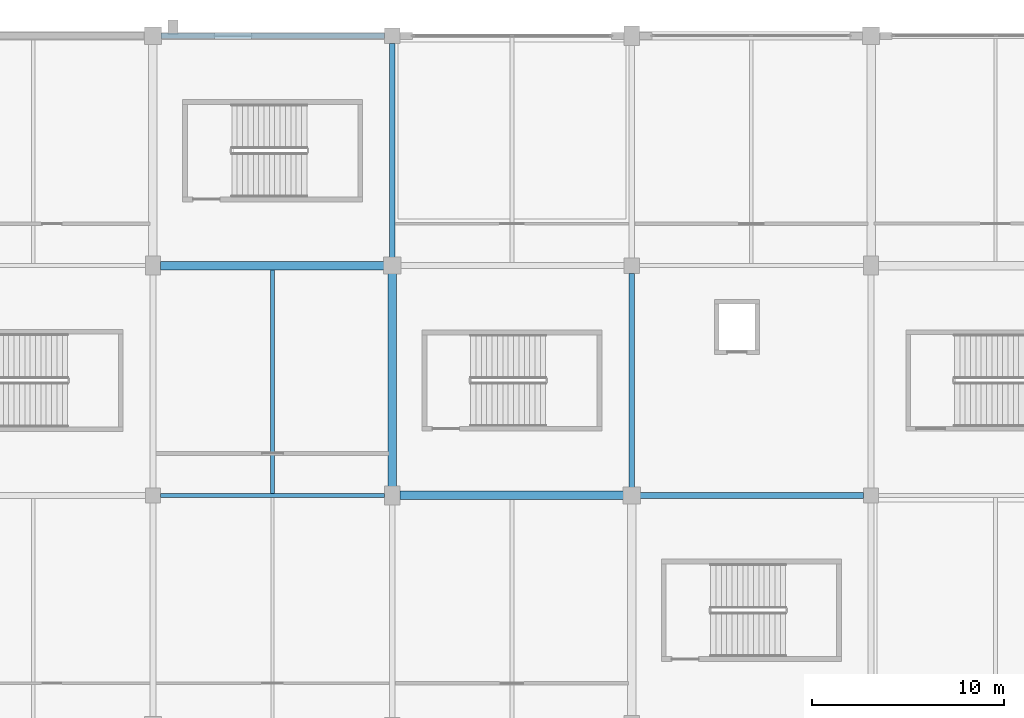
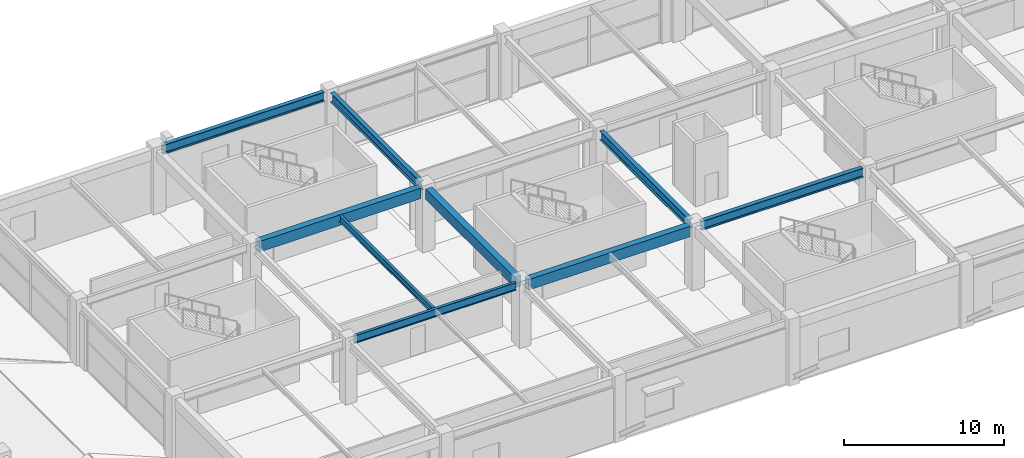
# One storey, part 49 of 116: 9 beams.
"""IFC4 building model written with IfcOpenShell, lengths in metres."""

import ifcopenshell
import ifcopenshell.guid

model = None  # the IFC model being written
_history = None  # IfcOwnerHistory: only IFC2X3 demands one
_inside = {}  # id of a spatial element -> (the spatial element, [elements in it])
_under = {}  # id of a project, library or spatial element -> (it, [spatial elements below it])
_declared = {}  # id of a project -> (the project, [libraries it declares])
_typed = {}  # id of a type object -> (the type object, [elements of that type])
_made_of = {}  # id of a material, layer set ... -> (it, [elements and type objects made of it])


def new_model(schema):
    """Start an empty IFC model of exactly this schema.

    Asked for "IFC4X3", IfcOpenShell would pick the latest addendum, in which some entities
    have other attributes; the version numbers below select the first issue.
    IFC2X3 requires an IfcOwnerHistory on every rooted entity: one is made here for all.
    """
    global model, _history
    if schema == "IFC4X3":
        model = ifcopenshell.file(schema_version=(4, 3, 0, 0))
    else:
        model = ifcopenshell.file(schema=schema)
    _inside.clear()
    _under.clear()
    _declared.clear()
    _typed.clear()
    _made_of.clear()
    _history = None
    if model.schema == "IFC2X3":
        org = make("IfcOrganization", Name="unknown")
        user = make(
            "IfcPersonAndOrganization",
            ThePerson=make("IfcPerson", FamilyName="unknown"),
            TheOrganization=org,
        )
        app = make(
            "IfcApplication",
            ApplicationDeveloper=org,
            Version="unknown",
            ApplicationFullName="unknown",
            ApplicationIdentifier="unknown",
        )
        _history = make(
            "IfcOwnerHistory",
            OwningUser=user,
            OwningApplication=app,
            ChangeAction="ADDED",
            CreationDate=0,
        )
    return model


def make(cls, **values):
    """One entity of the class cls with the attributes given. An attribute that is None is left unset."""
    return model.create_entity(
        cls, **{name: value for name, value in values.items() if value is not None}
    )


def rooted(cls, **values):
    """An entity with a GlobalId (a new one), such as an element, a storey or a relation."""
    return make(cls, GlobalId=ifcopenshell.guid.new(), OwnerHistory=_history, **values)


def si_unit(unit_type, name, prefix=None):
    """IfcSIUnit, for example si_unit("LENGTHUNIT", "METRE", prefix="MILLI")."""
    return make("IfcSIUnit", UnitType=unit_type, Prefix=prefix, Name=name)


def assignment(units):
    """IfcUnitAssignment: the units of a project."""
    return None if units is None else make("IfcUnitAssignment", Units=units)


def point(xyz):
    """IfcCartesianPoint."""
    return None if xyz is None else make("IfcCartesianPoint", Coordinates=xyz)


def direction(xyz):
    """IfcDirection."""
    return None if xyz is None else make("IfcDirection", DirectionRatios=xyz)


def frame(location, z_axis=None, x_axis=None):
    """IfcAxis2Placement3D, a coordinate frame: its origin and axes. An axis left out is left unset."""
    return make(
        "IfcAxis2Placement3D",
        Location=point(location),
        Axis=direction(z_axis),
        RefDirection=direction(x_axis),
    )


def frame_2d(location, x_axis=None):
    """IfcAxis2Placement2D, a coordinate frame in the plane: its origin and x axis."""
    return make(
        "IfcAxis2Placement2D", Location=point(location), RefDirection=direction(x_axis)
    )


def origin():
    """The frame at (0, 0, 0) with its axes left unset."""
    return frame((0.0, 0.0, 0.0))


def origin_2d():
    """The frame at (0, 0) in the plane with its x axis left unset."""
    return frame_2d((0.0, 0.0))


def place(relative_to, where):
    """IfcLocalPlacement: puts the frame where relative to a parent placement (None: the world)."""
    return make(
        "IfcLocalPlacement", PlacementRelTo=relative_to, RelativePlacement=where
    )


def context(
    kind, dimensions, precision=None, world=None, true_north=None, identifier=None
):
    """IfcGeometricRepresentationContext, for example the 3D "Model" context."""
    return make(
        "IfcGeometricRepresentationContext",
        ContextIdentifier=identifier,
        ContextType=kind,
        CoordinateSpaceDimension=dimensions,
        Precision=precision,
        WorldCoordinateSystem=world,
        TrueNorth=true_north,
    )


def subcontext(parent, identifier, kind, view, scale=None):
    """IfcGeometricRepresentationSubContext, for example "Body" below "Model"."""
    return make(
        "IfcGeometricRepresentationSubContext",
        ContextIdentifier=identifier,
        ContextType=kind,
        ParentContext=parent,
        TargetScale=scale,
        TargetView=view,
    )


def project(units=None, contexts=None):
    """IfcProject with its units and contexts."""
    return rooted(
        "IfcProject",
        Name="project",
        RepresentationContexts=contexts,
        UnitsInContext=assignment(units),
    )


def spatial(cls, under=None, at=None, **own):
    """A site, building, storey or space (cls), placed at a placement, below another one or the project."""
    s = rooted(cls, ObjectPlacement=at, **own)
    if under is not None:
        _under.setdefault(under.id(), (under, []))[1].append(s)
    return s


def profile(cls, at=None, kind="AREA", **sizes):
    """A parametric profile (cls). Its sizes go by their IFC names, for example OverallWidth=200.0."""
    return make(cls, ProfileType=kind, Position=at, **sizes)


def rectangle(**sizes):
    """IfcRectangleProfileDef."""
    return profile("IfcRectangleProfileDef", **sizes)


def i_section(**sizes):
    """IfcIShapeProfileDef."""
    return profile("IfcIShapeProfileDef", **sizes)


def extrude(swept, where, along, depth):
    """IfcExtrudedAreaSolid: the profile swept, set in the frame where, extruded along a direction by depth."""
    return make(
        "IfcExtrudedAreaSolid",
        SweptArea=swept,
        Position=where,
        ExtrudedDirection=direction(along),
        Depth=depth,
    )


def shape(context_of_items, identifier, shape_type, items):
    """IfcShapeRepresentation: the items that make up one representation, for example the "Body"."""
    return make(
        "IfcShapeRepresentation",
        ContextOfItems=context_of_items,
        RepresentationIdentifier=identifier,
        RepresentationType=shape_type,
        Items=items,
    )


def material(Name=None, Category=None):
    """IfcMaterial."""
    return make("IfcMaterial", Name=Name, Category=Category)


def material_profile(
    of_material, cross_section, Name=None, Category=None, Priority=None
):
    """IfcMaterialProfile: a cross section and its material."""
    return make(
        "IfcMaterialProfile",
        Name=Name,
        Material=of_material,
        Profile=cross_section,
        Priority=Priority,
        Category=Category,
    )


def profile_set(profiles, Name=None, composite=None):
    """IfcMaterialProfileSet."""
    return make(
        "IfcMaterialProfileSet",
        Name=Name,
        MaterialProfiles=profiles,
        CompositeProfile=composite,
    )


def made_of(thing, what):
    """Note that an element or type object is made of a material, layer set ...; save() writes the relation."""
    if what is not None:
        _made_of.setdefault(what.id(), (what, []))[1].append(thing)
    return thing


def type_object(cls, material=None, **own):
    """A type object (cls), such as IfcWallType, which elements share."""
    return made_of(rooted(cls, **own), material)


def element(
    cls,
    number,
    at=None,
    inside=None,
    cuts=None,
    type_object=None,
    material=None,
    context=None,
    identifier="Body",
    shape_type=None,
    held_by="IfcProductDefinitionShape",
    body=None,
    shapes=None,
    **own,
):
    """One element of the class cls, such as IfcWall. Its Tag is "e" and its number.

    at: its placement. inside: the storey or other place that contains it. cuts: it is an
    opening in that element (IfcRelVoidsElement). A single representation is given by context,
    identifier, shape_type and body (its items); several are given by shapes. held_by: the class
    of the entity that holds the representations. save() writes the other relations.
    """
    e = rooted(cls, Tag="e%d" % number, ObjectPlacement=at, **own)
    if body is not None:
        shapes = [shape(context, identifier, shape_type, body)]
    if shapes is not None:
        e.Representation = make(held_by, Representations=shapes)
    if inside is not None:
        _inside.setdefault(inside.id(), (inside, []))[1].append(e)
    if cuts is not None:
        rooted(
            "IfcRelVoidsElement", RelatingBuildingElement=cuts, RelatedOpeningElement=e
        )
    if type_object is not None:
        _typed.setdefault(type_object.id(), (type_object, []))[1].append(e)
    return made_of(e, material)


def aggregate(whole, parts):
    """IfcRelAggregates: a whole, such as a stair, and the parts it consists of."""
    return rooted("IfcRelAggregates", RelatingObject=whole, RelatedObjects=parts)


def save(model, path):
    """Write the relations noted so far, then the file.

    IfcRelAggregates (storeys below a building ...), IfcRelContainedInSpatialStructure (elements
    in a storey), IfcRelDefinesByType, IfcRelAssociatesMaterial and IfcRelDeclares: one each for
    every whole, place, type object, material and project.
    """
    for whole, parts in _under.values():
        aggregate(whole, parts)
    for where, things in _inside.values():
        rooted(
            "IfcRelContainedInSpatialStructure",
            RelatedElements=things,
            RelatingStructure=where,
        )
    for kind, things in _typed.values():
        rooted("IfcRelDefinesByType", RelatedObjects=things, RelatingType=kind)
    for what, things in _made_of.values():
        rooted("IfcRelAssociatesMaterial", RelatedObjects=things, RelatingMaterial=what)
    for by, libraries in _declared.values():
        rooted("IfcRelDeclares", RelatingContext=by, RelatedDefinitions=libraries)
    model.write(path)


model = new_model("IFC4")

# Units and contexts
model_context = context("Model", 3, precision=1e-05, world=origin(), true_north=direction((0.0, 1.0)))
body_context = subcontext(model_context, "Body", "Model", "MODEL_VIEW")
ifc_project = project(units=[si_unit("LENGTHUNIT", "METRE"), si_unit("AREAUNIT", "SQUARE_METRE"), si_unit("VOLUMEUNIT", "CUBIC_METRE"), si_unit("PLANEANGLEUNIT", "RADIAN"), si_unit("MASSUNIT", "GRAM", prefix="KILO")], contexts=[model_context])

# Site, building, storey
site_placement = place(None, origin())
site = spatial("IfcSite", under=ifc_project, at=site_placement, CompositionType="ELEMENT")
building_placement = place(site_placement, origin())
building = spatial("IfcBuilding", under=site, at=building_placement, Name="Kazenohara Klinker Stadium", CompositionType="ELEMENT")
storey_placement = place(building_placement, frame((0.0, 0.0, 10.199951171875)))
storey = spatial("IfcBuildingStorey", under=building, at=storey_placement, Name="L02", CompositionType="ELEMENT", Elevation=10.199951171875)

# Beams
ifc_material_1 = material(Name="Steel S355", Category="steel")
ifc_material_profile_1 = material_profile(ifc_material_1, i_section(OverallWidth=0.199951171875, OverallDepth=0.5, WebThickness=0.010009765625, FlangeThickness=0.01611328125, FilletRadius=0.012939453125, at=origin_2d()), Name="H-500x200x10x16")
ifc_profile_set_1 = profile_set([ifc_material_profile_1], Name="Steel S355")
beam_type_1 = type_object("IfcBeamType", Name="BM-JST01", PredefinedType="JOIST", material=ifc_profile_set_1)
beam_1_placement = place(storey_placement, frame((67.75, 144.10009765625, 4.570068359375), z_axis=(0.0, 1.0, 0.0), x_axis=(-1.0, 0.0, 0.0)))
element("IfcBeam", 1, at=beam_1_placement, inside=storey, type_object=beam_type_1, Name="Secondary floor joist SJ01 L02 6/N", PredefinedType="JOIST", context=body_context, shape_type="SweptSolid", body=[
    extrude(i_section(OverallWidth=0.199951171875, OverallDepth=0.5, WebThickness=0.010009765625, FlangeThickness=0.01611328125, FilletRadius=0.012939453125, at=origin_2d()), origin(), (0.0, 0.0, 1.0), 11.6748046875),
])
ifc_material_2 = material(Name="Concrete C40/50", Category="concrete")
ifc_material_profile_2 = material_profile(ifc_material_2, rectangle(XDim=0.449951171875, YDim=0.800048828125, at=origin_2d()), Name="RC-BM-450x800")
ifc_profile_set_2 = profile_set([ifc_material_profile_2], Name="Concrete C40/50")
beam_type_2 = type_object("IfcBeamType", Name="BM-RC03", PredefinedType="BEAM", material=ifc_profile_set_2)
for number, where, z_axis, x_axis, name in (
    (2, (61.89990234375, 156.0, 4.420166015625), (1.0, 0.0, 0.0), (0.0, 1.0, 0.0), "Primary girder BG03 L02 6-7/P"),
    (3, (74.39990234375, 144.0, 4.420166015625), (1.0, 0.0, 0.0), (0.0, 1.0, 0.0), "Primary girder BG03 L02 7-8/N"),
):
    element("IfcBeam", number, at=place(storey_placement, frame(where, z_axis=z_axis, x_axis=x_axis)), inside=storey, type_object=beam_type_2, Name=name, PredefinedType="BEAM", context=body_context, shape_type="SweptSolid", body=[
        extrude(rectangle(XDim=0.449951171875, YDim=0.800048828125, at=origin_2d()), origin(), (0.0, 0.0, 1.0), 11.68017578125),
    ])
beam_2_placement = place(storey_placement, frame((74.0, 144.419921875, 4.420166015625), z_axis=(0.0, 1.0, 0.0), x_axis=(-1.0, 0.0, 0.0)))
element("IfcBeam", 4, at=beam_2_placement, inside=storey, type_object=beam_type_2, Name="Primary girder BG03 L02 7/N-P", PredefinedType="BEAM", context=body_context, shape_type="SweptSolid", body=[
    extrude(rectangle(XDim=0.449951171875, YDim=0.800048828125, at=origin_2d()), origin(), (0.0, 0.0, 1.0), 11.16015625),
])
ifc_material_profile_3 = material_profile(ifc_material_1, i_section(OverallWidth=0.300048828125, OverallDepth=0.699951171875, WebThickness=0.012939453125, FlangeThickness=0.02392578125, FilletRadius=0.02197265625, at=origin_2d()), Name="H-700x300x13x24")
ifc_profile_set_3 = profile_set([ifc_material_profile_3], Name="Steel S355")
beam_type_3 = type_object("IfcBeamType", Name="BM-ST03", PredefinedType="BEAM", material=ifc_profile_set_3)
for number, where, z_axis, x_axis, name in (
    (5, (61.919921875, 168.0, 4.469970703125), (1.0, 0.0, 0.0), (0.0, 1.0, 0.0), "Primary girder SB03 L02 6-7/Q"),
    (6, (86.919921875, 144.0, 4.469970703125), (1.0, 0.0, 0.0), (0.0, 1.0, 0.0), "Primary girder SB03 L02 8-9/N"),
):
    element("IfcBeam", number, at=place(storey_placement, frame(where, z_axis=z_axis, x_axis=x_axis)), inside=storey, type_object=beam_type_3, Name=name, PredefinedType="BEAM", context=body_context, shape_type="SweptSolid", body=[
        extrude(i_section(OverallWidth=0.300048828125, OverallDepth=0.699951171875, WebThickness=0.012939453125, FlangeThickness=0.02392578125, FilletRadius=0.02197265625, at=origin_2d()), origin(), (0.0, 0.0, 1.0), 11.68017578125),
    ])
for number, where, z_axis, x_axis, name in (
    (7, (74.0, 156.419921875, 4.469970703125), (0.0, 1.0, 0.0), (-1.0, 0.0, 0.0), "Primary girder SB03 L02 7/P-Q"),
    (8, (86.5, 144.419921875, 4.469970703125), (0.0, 1.0, 0.0), (-1.0, 0.0, 0.0), "Primary girder SB03 L02 8/N-P"),
):
    element("IfcBeam", number, at=place(storey_placement, frame(where, z_axis=z_axis, x_axis=x_axis)), inside=storey, type_object=beam_type_3, Name=name, PredefinedType="BEAM", context=body_context, shape_type="SweptSolid", body=[
        extrude(i_section(OverallWidth=0.300048828125, OverallDepth=0.699951171875, WebThickness=0.012939453125, FlangeThickness=0.02392578125, FilletRadius=0.02197265625, at=origin_2d()), origin(), (0.0, 0.0, 1.0), 11.18017578125),
    ])
ifc_material_profile_4 = material_profile(ifc_material_1, i_section(OverallWidth=0.199951171875, OverallDepth=0.60009765625, WebThickness=0.010986328125, FlangeThickness=0.01708984375, FilletRadius=0.012939453125, at=origin_2d()), Name="H-600x200x11x17")
ifc_profile_set_4 = profile_set([ifc_material_profile_4], Name="Steel S355")
beam_type_4 = type_object("IfcBeamType", Name="BM-ST04", PredefinedType="BEAM", material=ifc_profile_set_4)
beam_3_placement = place(storey_placement, frame((61.89990234375, 144.0, 4.52001953125), z_axis=(1.0, 0.0, 0.0), x_axis=(0.0, 1.0, 0.0)))
element("IfcBeam", 9, at=beam_3_placement, inside=storey, type_object=beam_type_4, Name="Primary girder SB04 L02 6-7/N", PredefinedType="BEAM", context=body_context, shape_type="SweptSolid", body=[
    extrude(i_section(OverallWidth=0.199951171875, OverallDepth=0.60009765625, WebThickness=0.010986328125, FlangeThickness=0.01708984375, FilletRadius=0.012939453125, at=origin_2d()), origin(), (0.0, 0.0, 1.0), 11.7001953125),
])

save(model, "model.ifc")
